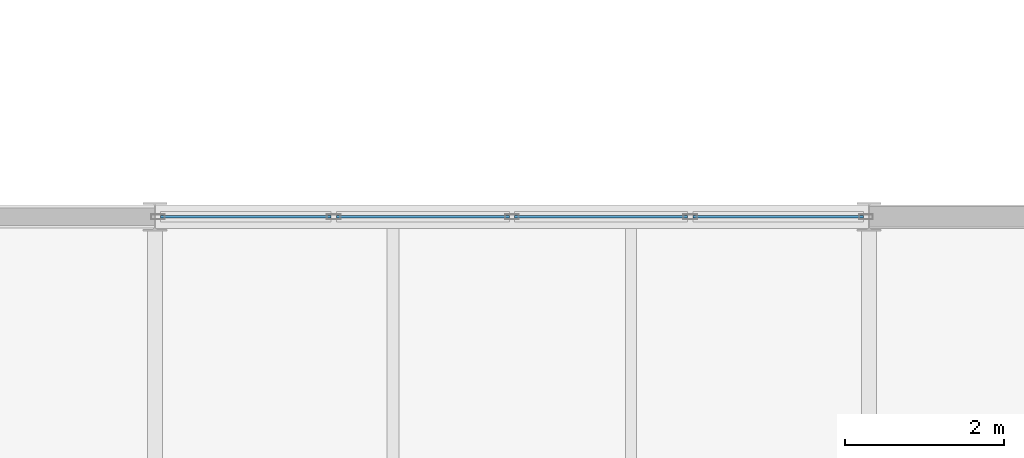
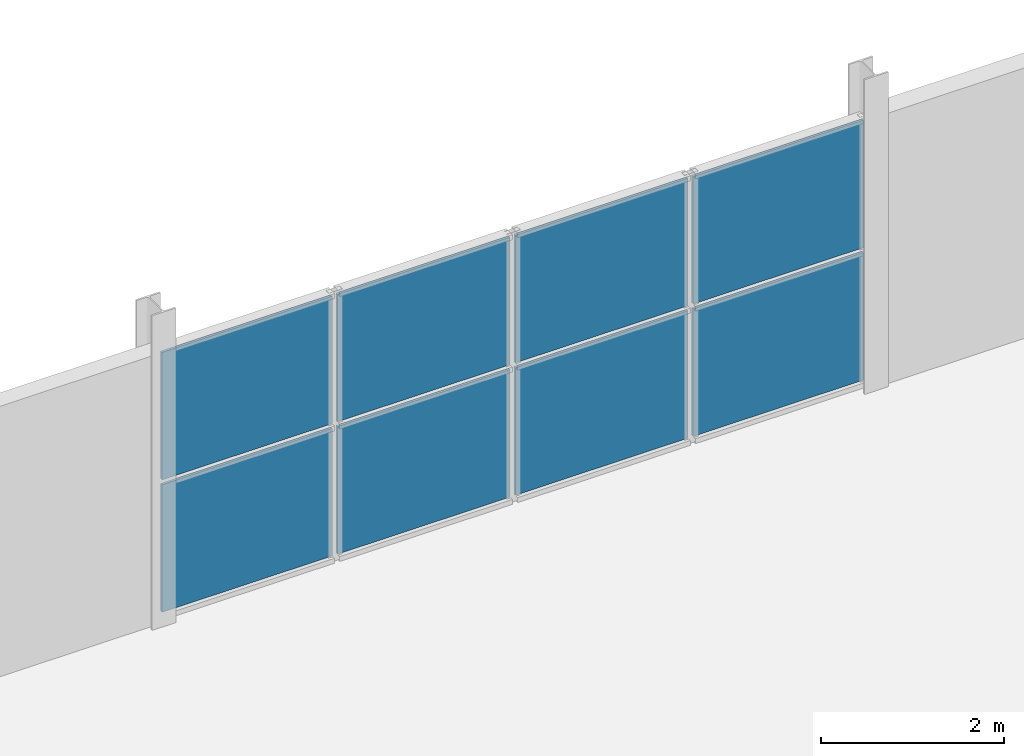
# One storey, part 104 of 132: 8 plates, 1 element without a shape of its own.
"""IFC4 building model written with IfcOpenShell, lengths in metres."""

from ifc_helpers import new_model, si_unit, direction, frame, origin, origin_2d, place, context, subcontext, project, spatial, rectangle, extrude, material, layer, layer_set, type_object, element, aggregate, save


model = new_model("IFC4")

# Units and contexts
model_context = context("Model", 3, precision=1e-05, world=origin(), true_north=direction((0.0, 1.0)))
body_context = subcontext(model_context, "Body", "Model", "MODEL_VIEW")
ifc_project = project(units=[si_unit("LENGTHUNIT", "METRE"), si_unit("AREAUNIT", "SQUARE_METRE"), si_unit("VOLUMEUNIT", "CUBIC_METRE"), si_unit("PLANEANGLEUNIT", "RADIAN"), si_unit("MASSUNIT", "GRAM", prefix="KILO")], contexts=[model_context])

# Site, building, storey
site_placement = place(None, origin())
site = spatial("IfcSite", under=ifc_project, at=site_placement, CompositionType="ELEMENT")
building_placement = place(site_placement, origin())
building = spatial("IfcBuilding", under=site, at=building_placement, Name="Deido Ridge Mobility Hub", CompositionType="ELEMENT")
storey_placement = place(building_placement, frame((0.0, 0.0, 8.39990234375)))
storey = spatial("IfcBuildingStorey", under=building, at=storey_placement, Name="L02", CompositionType="ELEMENT", Elevation=8.39990234375)

# Curtain wall, plates
ifc_material_1 = material(Name="Anodised aluminium EN AW-6063 T6", Category="aluminium")
ifc_layer_1 = layer(ifc_material_1, 0.132080078125, Name="Anodised aluminium EN AW-6063 T6")
ifc_layer_set_1 = layer_set([ifc_layer_1], Name="Anodised aluminium EN AW-6063 T6")
curtain_wall_type = type_object("IfcCurtainWallType", Name="CW-GS-1", PredefinedType="USERDEFINED", material=ifc_layer_set_1)
curtain_wall_placement = place(storey_placement, origin())
curtain_wall = element("IfcCurtainWall", 1, at=curtain_wall_placement, inside=storey, type_object=curtain_wall_type, Name="Unitised curtain wall GS1", ObjectType="GLAZED SCREEN", PredefinedType="USERDEFINED")
ifc_material_2 = material(Name="Laminated solar-control low-E glass", Category="glass")
ifc_layer_2 = layer(ifc_material_2, 0.032958984375, Name="Laminated solar-control low-E glass")
ifc_layer_set_2 = layer_set([ifc_layer_2], Name="Laminated solar-control low-E glass")
plate_type = type_object("IfcPlateType", Name="PLT-CWP-33", PredefinedType="CURTAIN_PANEL", material=ifc_layer_set_2)
plate_1_placement = place(storey_placement, frame((163.14599609375, 72.0, 0.06494140625), z_axis=(0.0, 0.0, 1.0), x_axis=(1.0, 0.0, 0.0)))
plate_1 = element("IfcPlate", 2, at=plate_1_placement, type_object=plate_type, Name="GS1 panel 1.1", PredefinedType="CURTAIN_PANEL", context=body_context, shape_type="SweptSolid", body=[
    extrude(rectangle(XDim=2.1494140625, YDim=0.032958984375, at=origin_2d()), origin(), (0.0, 0.0, 1.0), 1.702392578125),
])
plate_2_placement = place(storey_placement, frame((163.14599609375, 72.0, 1.83251953125), z_axis=(0.0, 0.0, 1.0), x_axis=(1.0, 0.0, 0.0)))
plate_2 = element("IfcPlate", 3, at=plate_2_placement, type_object=plate_type, Name="GS1 panel 1.2", PredefinedType="CURTAIN_PANEL", context=body_context, shape_type="SweptSolid", body=[
    extrude(rectangle(XDim=2.1494140625, YDim=0.032958984375, at=origin_2d()), origin(), (0.0, 0.0, 1.0), 1.702392578125),
])
plate_3_placement = place(storey_placement, frame((165.37646484375, 72.0, 0.06494140625), z_axis=(0.0, 0.0, 1.0), x_axis=(1.0, 0.0, 0.0)))
plate_3 = element("IfcPlate", 4, at=plate_3_placement, type_object=plate_type, Name="GS1 panel 2.1", PredefinedType="CURTAIN_PANEL", context=body_context, shape_type="SweptSolid", body=[
    extrude(rectangle(XDim=2.181884765625, YDim=0.032958984375, at=origin_2d()), origin(), (0.0, 0.0, 1.0), 1.702392578125),
])
plate_4_placement = place(storey_placement, frame((165.37646484375, 72.0, 1.83251953125), z_axis=(0.0, 0.0, 1.0), x_axis=(1.0, 0.0, 0.0)))
plate_4 = element("IfcPlate", 5, at=plate_4_placement, type_object=plate_type, Name="GS1 panel 2.2", PredefinedType="CURTAIN_PANEL", context=body_context, shape_type="SweptSolid", body=[
    extrude(rectangle(XDim=2.181884765625, YDim=0.032958984375, at=origin_2d()), origin(), (0.0, 0.0, 1.0), 1.702392578125),
])
plate_5_placement = place(storey_placement, frame((167.62353515625, 72.0, 0.06494140625), z_axis=(0.0, 0.0, 1.0), x_axis=(1.0, 0.0, 0.0)))
plate_5 = element("IfcPlate", 6, at=plate_5_placement, type_object=plate_type, Name="GS1 panel 3.1", PredefinedType="CURTAIN_PANEL", context=body_context, shape_type="SweptSolid", body=[
    extrude(rectangle(XDim=2.181884765625, YDim=0.032958984375, at=origin_2d()), origin(), (0.0, 0.0, 1.0), 1.702392578125),
])
plate_6_placement = place(storey_placement, frame((167.62353515625, 72.0, 1.83251953125), z_axis=(0.0, 0.0, 1.0), x_axis=(1.0, 0.0, 0.0)))
plate_6 = element("IfcPlate", 7, at=plate_6_placement, type_object=plate_type, Name="GS1 panel 3.2", PredefinedType="CURTAIN_PANEL", context=body_context, shape_type="SweptSolid", body=[
    extrude(rectangle(XDim=2.181884765625, YDim=0.032958984375, at=origin_2d()), origin(), (0.0, 0.0, 1.0), 1.702392578125),
])
plate_7_placement = place(storey_placement, frame((169.85400390625, 72.0, 0.06494140625), z_axis=(0.0, 0.0, 1.0), x_axis=(1.0, 0.0, 0.0)))
plate_7 = element("IfcPlate", 8, at=plate_7_placement, type_object=plate_type, Name="GS1 panel 4.1", PredefinedType="CURTAIN_PANEL", context=body_context, shape_type="SweptSolid", body=[
    extrude(rectangle(XDim=2.1494140625, YDim=0.032958984375, at=origin_2d()), origin(), (0.0, 0.0, 1.0), 1.702392578125),
])
plate_8_placement = place(storey_placement, frame((169.85400390625, 72.0, 1.83251953125), z_axis=(0.0, 0.0, 1.0), x_axis=(1.0, 0.0, 0.0)))
plate_8 = element("IfcPlate", 9, at=plate_8_placement, type_object=plate_type, Name="GS1 panel 4.2", PredefinedType="CURTAIN_PANEL", context=body_context, shape_type="SweptSolid", body=[
    extrude(rectangle(XDim=2.1494140625, YDim=0.032958984375, at=origin_2d()), origin(), (0.0, 0.0, 1.0), 1.702392578125),
])
aggregate(curtain_wall, [plate_1, plate_2, plate_3, plate_4, plate_5, plate_6, plate_7, plate_8])

save(model, "model.ifc")
